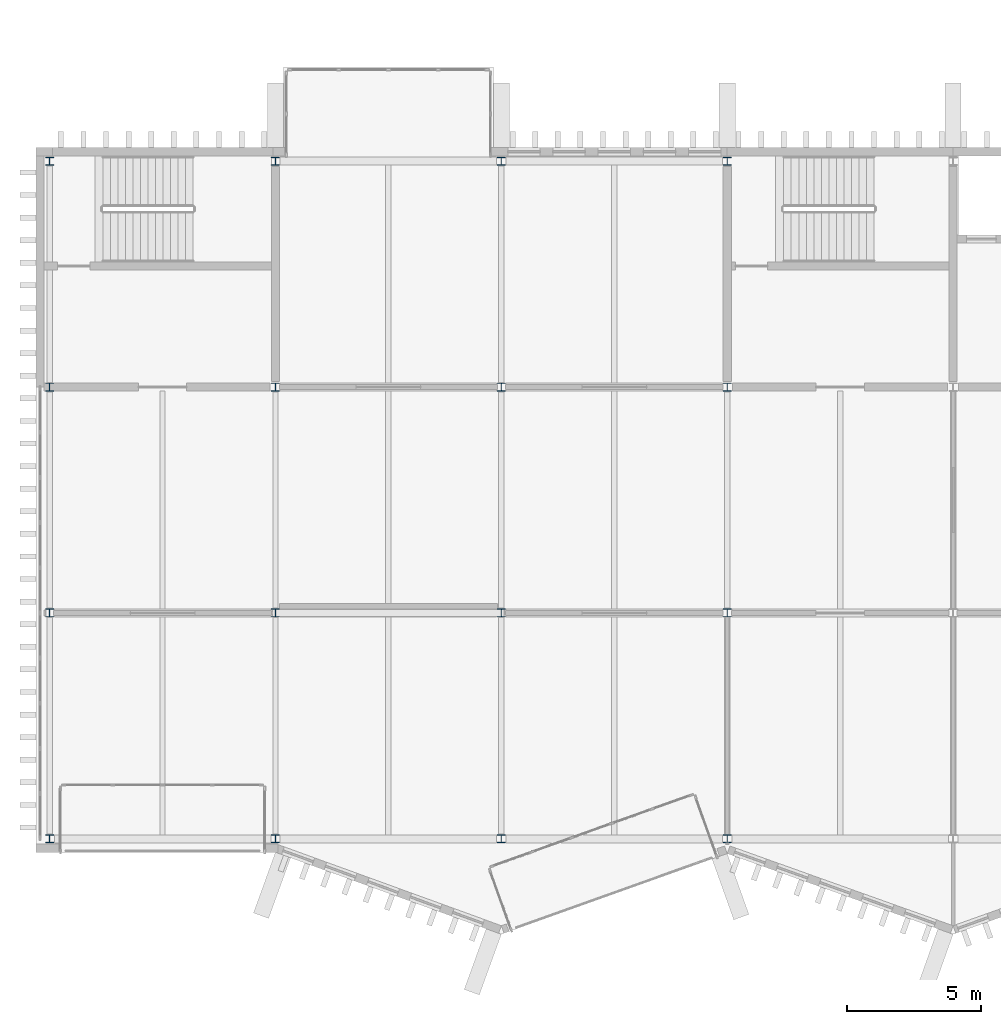
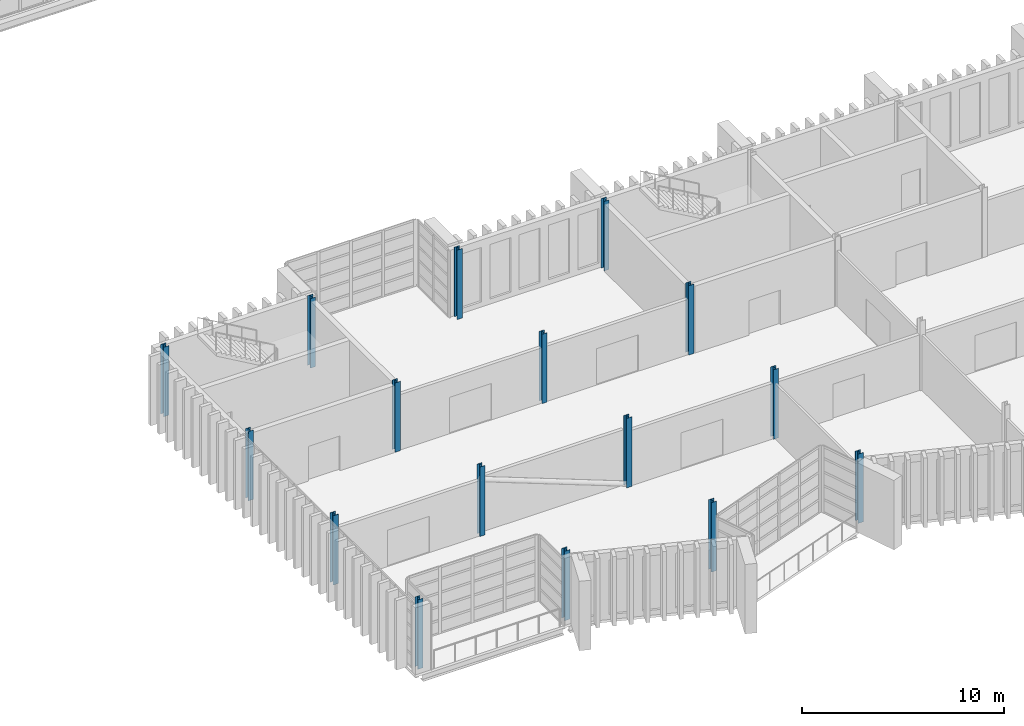
# One storey, part 1 of 100: 16 columns.
"""IFC4 building model written with IfcOpenShell, lengths in metres."""

from ifc_helpers import new_model, si_unit, direction, frame, origin, origin_2d, place, context, subcontext, project, spatial, i_section, extrude, material, material_profile, profile_set, type_object, element, save


model = new_model("IFC4")

# Units and contexts
model_context = context("Model", 3, precision=1e-05, world=origin(), true_north=direction((0.0, 1.0)))
body_context = subcontext(model_context, "Body", "Model", "MODEL_VIEW")
ifc_project = project(units=[si_unit("LENGTHUNIT", "METRE"), si_unit("AREAUNIT", "SQUARE_METRE"), si_unit("VOLUMEUNIT", "CUBIC_METRE"), si_unit("PLANEANGLEUNIT", "RADIAN"), si_unit("MASSUNIT", "GRAM", prefix="KILO")], contexts=[model_context])

# Site, building, storey
site_placement = place(None, origin())
site = spatial("IfcSite", under=ifc_project, at=site_placement, CompositionType="ELEMENT")
building_placement = place(site_placement, origin())
building = spatial("IfcBuilding", under=site, at=building_placement, Name="Cresset Court Congress Hotel", CompositionType="ELEMENT")
storey_placement = place(building_placement, frame((0.0, 0.0, 10.199951171875)))
storey = spatial("IfcBuildingStorey", under=building, at=storey_placement, Name="L02", CompositionType="ELEMENT", Elevation=10.199951171875)

# Columns
ifc_material = material(Name="Structural steel Q355B", Category="steel")
ifc_material_profile = material_profile(ifc_material, i_section(OverallWidth=0.300048828125, OverallDepth=0.300048828125, WebThickness=0.010009765625, FlangeThickness=0.014892578125, FilletRadius=0.012939453125, at=origin_2d()), Name="HW300x300x10x15")
ifc_profile_set = profile_set([ifc_material_profile], Name="Structural steel Q355B")
column_type = type_object("IfcColumnType", Name="Steel column HW300x300x10x15", PredefinedType="COLUMN", material=ifc_profile_set)
for number, where, z_axis, x_axis, name in (
    (1, (8.39990234375, 0.0, 0.0), (0.0, 0.0, 1.0), (1.0, 0.0, 0.0), "B.col.L02.02A"),
    (2, (8.39990234375, 8.39990234375, 0.0), (0.0, 0.0, 1.0), (1.0, 0.0, 0.0), "B.col.L02.02B"),
    (3, (8.39990234375, 16.800048828125, 0.0), (0.0, 0.0, 1.0), (1.0, 0.0, 0.0), "B.col.L02.02C"),
    (4, (8.39990234375, 25.199951171875, 0.0), (0.0, 0.0, 1.0), (1.0, 0.0, 0.0), "B.col.L02.02D"),
    (5, (16.800048828125, 0.0, 0.0), (0.0, 0.0, 1.0), (1.0, 0.0, 0.0), "B.col.L02.03A"),
    (6, (16.800048828125, 8.39990234375, 0.0), (0.0, 0.0, 1.0), (1.0, 0.0, 0.0), "B.col.L02.03B"),
    (7, (16.800048828125, 16.800048828125, 0.0), (0.0, 0.0, 1.0), (1.0, 0.0, 0.0), "B.col.L02.03C"),
    (8, (16.800048828125, 25.199951171875, 0.0), (0.0, 0.0, 1.0), (1.0, 0.0, 0.0), "B.col.L02.03D"),
    (9, (25.199951171875, 0.0, 0.0), (0.0, 0.0, 1.0), (1.0, 0.0, 0.0), "B.col.L02.04A"),
    (10, (25.199951171875, 8.39990234375, 0.0), (0.0, 0.0, 1.0), (1.0, 0.0, 0.0), "B.col.L02.04B"),
    (11, (25.199951171875, 16.800048828125, 0.0), (0.0, 0.0, 1.0), (1.0, 0.0, 0.0), "B.col.L02.04C"),
    (12, (25.199951171875, 25.199951171875, 0.0), (0.0, 0.0, 1.0), (1.0, 0.0, 0.0), "B.col.L02.04D"),
    (13, (33.60009765625, 0.0, 0.0), (0.0, 0.0, 1.0), (1.0, 0.0, 0.0), "B.col.L02.05A"),
    (14, (33.60009765625, 8.39990234375, 0.0), (0.0, 0.0, 1.0), (1.0, 0.0, 0.0), "B.col.L02.05B"),
    (15, (33.60009765625, 16.800048828125, 0.0), (0.0, 0.0, 1.0), (1.0, 0.0, 0.0), "B.col.L02.05C"),
    (16, (33.60009765625, 25.199951171875, 0.0), (0.0, 0.0, 1.0), (1.0, 0.0, 0.0), "B.col.L02.05D"),
):
    element("IfcColumn", number, at=place(storey_placement, frame(where, z_axis=z_axis, x_axis=x_axis)), inside=storey, type_object=column_type, Name=name, PredefinedType="COLUMN", context=body_context, shape_type="SweptSolid", body=[
        extrude(i_section(OverallWidth=0.300048828125, OverallDepth=0.300048828125, WebThickness=0.010009765625, FlangeThickness=0.014892578125, FilletRadius=0.012939453125, at=origin_2d()), origin(), (0.0, 0.0, 1.0), 4.199951171875),
    ])

save(model, "model.ifc")
